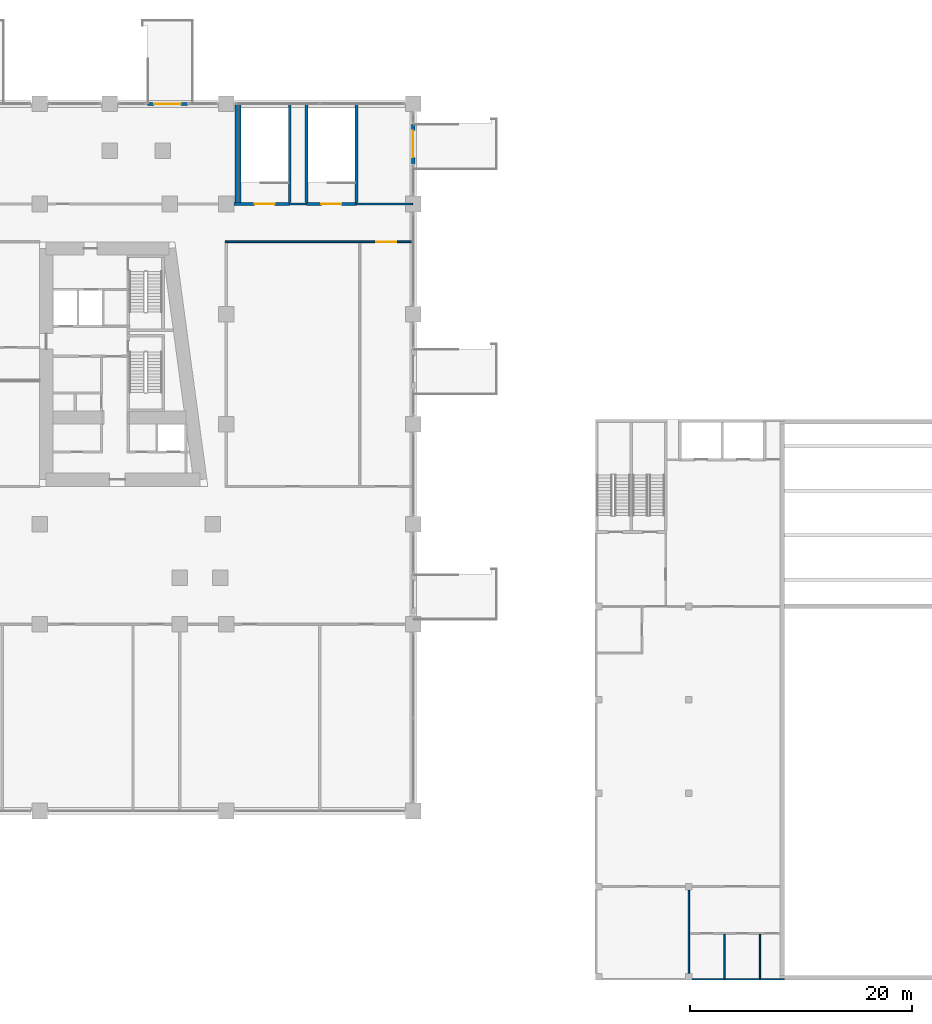
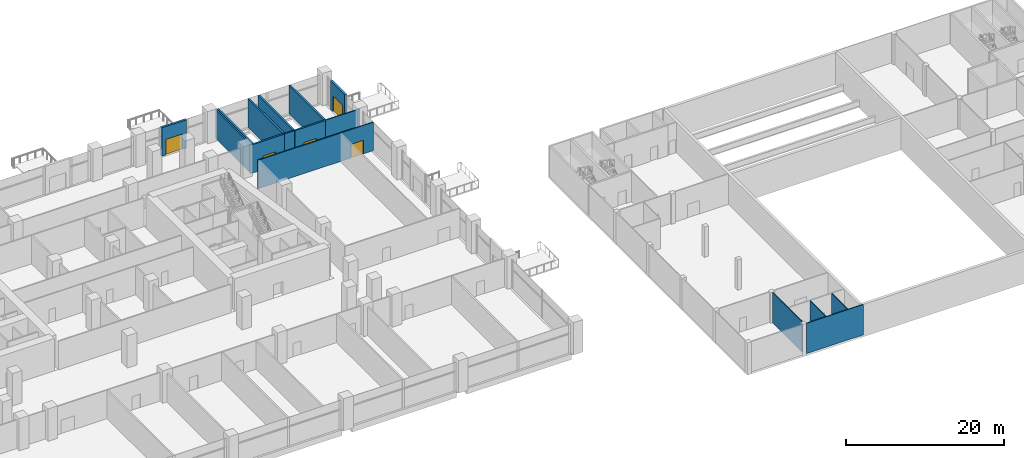
# One storey, part 23 of 33: 16 walls, 5 doors, 5 openings.
"""IFC4 building model written with IfcOpenShell, lengths in metres."""

from ifc_helpers import new_model, si_unit, direction, frame, frame_2d, origin, place, context, subcontext, project, spatial, rectangle, extrude, material, layer, layer_set, type_object, element, fill, save


model = new_model("IFC4")

# Units and contexts
model_context = context("Model", 3, precision=1e-05, world=origin(), true_north=direction((0.0, 1.0)))
body_context = subcontext(model_context, "Body", "Model", "MODEL_VIEW")
ifc_project = project(units=[si_unit("LENGTHUNIT", "METRE"), si_unit("AREAUNIT", "SQUARE_METRE"), si_unit("VOLUMEUNIT", "CUBIC_METRE"), si_unit("PLANEANGLEUNIT", "RADIAN"), si_unit("MASSUNIT", "GRAM", prefix="KILO")], contexts=[model_context])

# Site, building, storey
site_placement = place(None, origin())
site = spatial("IfcSite", under=ifc_project, at=site_placement, CompositionType="ELEMENT")
building_placement = place(site_placement, origin())
building = spatial("IfcBuilding", under=site, at=building_placement, Name="Candeia Pilgrim Tower and Theatre", CompositionType="ELEMENT")
storey_placement = place(building_placement, frame((0.0, 0.0, 29.0)))
storey = spatial("IfcBuildingStorey", under=building, at=storey_placement, Name="L04", CompositionType="ELEMENT", Elevation=29.0)

# Wall, opening, door
ifc_material_1 = material(Name="Ceramic block masonry", Category="masonry")
ifc_layer_1 = layer(ifc_material_1, 0.300048828125)
ifc_layer_set_1 = layer_set([ifc_layer_1], Name="EW2 entrance infill wall 300")
wall_type_1 = type_object("IfcWallType", Name="EW2 entrance infill wall 300", PredefinedType="SOLIDWALL", material=ifc_layer_set_1)
wall_1_placement = place(storey_placement, frame((135.699951171875, 144.800048828125, 0.0), z_axis=(0.0, 0.0, 1.0), x_axis=(1.0, 0.0, 0.0)))
wall_1 = element("IfcWall", 1, at=wall_1_placement, inside=storey, type_object=wall_type_1, Name="Entrance wall L04", PredefinedType="SOLIDWALL", context=body_context, shape_type="SweptSolid", body=[
    extrude(rectangle(XDim=3.60009765625, YDim=0.300048828125, at=frame_2d((1.800048828125, 0.0))), origin(), (0.0, 0.0, 1.0), 4.39990234375),
])
opening_1_placement = place(wall_1_placement, frame((0.60009765625, 0.0, 0.0)))
opening_1 = element("IfcOpeningElement", 2, at=opening_1_placement, cuts=wall_1, Name="Opening L04-ED079", PredefinedType="OPENING", context=body_context, shape_type="SweptSolid", body=[
    extrude(rectangle(XDim=2.39990234375, YDim=2.39990234375, at=frame_2d((1.199951171875, 1.199951171875))), frame((0.0, 0.16015625, 0.0), z_axis=(0.0, -1.0, 0.0), x_axis=(1.0, 0.0, 0.0)), (0.0, 0.0, 1.0), 0.320068359375),
])
ifc_material_2 = material(Name="Aluminium framed glazed door", Category="aluminium")
door_type_1 = type_object("IfcDoorType", Name="ED entrance double door 2400x2400", OperationType="DOUBLE_DOOR_DOUBLE_SWING", PredefinedType="DOOR", material=ifc_material_2)
door_1_placement = place(opening_1_placement, origin())
door_1 = element("IfcDoor", 3, at=door_1_placement, inside=storey, type_object=door_type_1, Name="Entrance door L04-ED079", OperationType="DOUBLE_DOOR_DOUBLE_SWING", OverallHeight=2.39990234375, OverallWidth=2.39990234375, PredefinedType="DOOR", context=body_context, shape_type="SweptSolid", body=[
    extrude(rectangle(XDim=2.39990234375, YDim=2.39990234375, at=frame_2d((1.199951171875, 1.199951171875))), frame((0.0, 0.02490234375, 0.0), z_axis=(0.0, -1.0, 0.0), x_axis=(1.0, 0.0, 0.0)), (0.0, 0.0, 1.0), 0.050048828125),
])
fill(opening_1, door_1)

wall_2_placement = place(storey_placement, frame((159.60009765625, 143.0, 0.0), z_axis=(0.0, 0.0, 1.0), x_axis=(0.0, -1.0, 0.0)))
wall_2 = element("IfcWall", 4, at=wall_2_placement, inside=storey, type_object=wall_type_1, Name="Entrance wall L04", PredefinedType="SOLIDWALL", context=body_context, shape_type="SweptSolid", body=[
    extrude(rectangle(XDim=3.60009765625, YDim=0.300048828125, at=frame_2d((1.800048828125, 0.0))), origin(), (0.0, 0.0, 1.0), 4.39990234375),
])
opening_2_placement = place(wall_2_placement, frame((0.60009765625, 0.0, 0.0)))
opening_2 = element("IfcOpeningElement", 5, at=opening_2_placement, cuts=wall_2, Name="Opening L04-ED080", PredefinedType="OPENING", context=body_context, shape_type="SweptSolid", body=[
    extrude(rectangle(XDim=2.39990234375, YDim=2.39990234375, at=frame_2d((1.199951171875, 1.199951171875))), frame((0.0, 0.16015625, 0.0), z_axis=(0.0, -1.0, 0.0), x_axis=(1.0, 0.0, 0.0)), (0.0, 0.0, 1.0), 0.320068359375),
])
door_2_placement = place(opening_2_placement, origin())
door_2 = element("IfcDoor", 6, at=door_2_placement, inside=storey, type_object=door_type_1, Name="Entrance door L04-ED080", OperationType="DOUBLE_DOOR_DOUBLE_SWING", OverallHeight=2.39990234375, OverallWidth=2.39990234375, PredefinedType="DOOR", context=body_context, shape_type="SweptSolid", body=[
    extrude(rectangle(XDim=2.39990234375, YDim=2.39990234375, at=frame_2d((1.199951171875, 1.199951171875))), frame((0.0, 0.02490234375, 0.0), z_axis=(0.0, -1.0, 0.0), x_axis=(1.0, 0.0, 0.0)), (0.0, 0.0, 1.0), 0.050048828125),
])
fill(opening_2, door_2)

ifc_material_3 = material(Name="Gypsum board partition on steel studs", Category="steel")
ifc_layer_2 = layer(ifc_material_3, 0.14990234375)
ifc_layer_set_2 = layer_set([ifc_layer_2], Name="PW-150 unit wall")
wall_type_2 = type_object("IfcWallType", Name="PW-150 unit wall", PredefinedType="PARTITIONING", material=ifc_layer_set_2)
wall_3_placement = place(storey_placement, frame((142.699951171875, 132.39990234375, 0.0), z_axis=(0.0, 0.0, 1.0), x_axis=(1.0, 0.0, 0.0)))
wall_3 = element("IfcWall", 7, at=wall_3_placement, inside=storey, type_object=wall_type_2, Name="Unit wall L04-034", PredefinedType="PARTITIONING", context=body_context, shape_type="SweptSolid", body=[
    extrude(rectangle(XDim=16.85009765625, YDim=0.14990234375, at=frame_2d((8.425048828125, 0.0))), origin(), (0.0, 0.0, 1.0), 4.39990234375),
])
opening_3_placement = place(wall_3_placement, frame((13.60009765625, 0.0, 0.0)))
opening_3 = element("IfcOpeningElement", 8, at=opening_3_placement, cuts=wall_3, Name="Opening L04-D029", PredefinedType="OPENING", context=body_context, shape_type="SweptSolid", body=[
    extrude(rectangle(XDim=1.800048828125, YDim=2.10009765625, at=frame_2d((0.89990234375, 1.050048828125))), frame((0.0, 0.0849609375, 0.0), z_axis=(0.0, -1.0, 0.0), x_axis=(1.0, 0.0, 0.0)), (0.0, 0.0, 1.0), 0.169921875),
])
ifc_material_4 = material(Name="Steel fire door set", Category="steel")
door_type_2 = type_object("IfcDoorType", Name="D-1800-FD60", OperationType="NOTDEFINED", PredefinedType="DOOR", material=ifc_material_4)
door_3_placement = place(opening_3_placement, origin())
door_3 = element("IfcDoor", 9, at=door_3_placement, inside=storey, type_object=door_type_2, Name="Door L04-D029", OperationType="SINGLE_SWING_LEFT", OverallHeight=2.10009765625, OverallWidth=1.800048828125, PredefinedType="DOOR", context=body_context, shape_type="SweptSolid", body=[
    extrude(rectangle(XDim=1.800048828125, YDim=2.10009765625, at=frame_2d((0.89990234375, 1.050048828125))), frame((0.0, 0.02490234375, 0.0), z_axis=(0.0, -1.0, 0.0), x_axis=(1.0, 0.0, 0.0)), (0.0, 0.0, 1.0), 0.050048828125),
])
fill(opening_3, door_3)

# Walls
wall_4_placement = place(storey_placement, frame((148.5, 135.800048828125, 0.0), z_axis=(0.0, 0.0, 1.0), x_axis=(1.0, 0.0, 0.0)))
element("IfcWall", 10, at=wall_4_placement, inside=storey, type_object=wall_type_2, Name="Unit wall L04-042", PredefinedType="PARTITIONING", context=body_context, shape_type="SweptSolid", body=[
    extrude(rectangle(XDim=1.5, YDim=0.14990234375, at=frame_2d((0.75, 0.0))), origin(), (0.0, 0.0, 1.0), 4.39990234375),
])
wall_5_placement = place(storey_placement, frame((154.5, 135.800048828125, 0.0), z_axis=(0.0, 0.0, 1.0), x_axis=(1.0, 0.0, 0.0)))
element("IfcWall", 11, at=wall_5_placement, inside=storey, type_object=wall_type_2, Name="Unit wall L04-043", PredefinedType="PARTITIONING", context=body_context, shape_type="SweptSolid", body=[
    extrude(rectangle(XDim=5.050048828125, YDim=0.14990234375, at=frame_2d((2.52490234375, 0.0))), origin(), (0.0, 0.0, 1.0), 4.39990234375),
])
ifc_layer_3 = layer(ifc_material_3, 0.199951171875)
ifc_layer_set_3 = layer_set([ifc_layer_3], Name="PW-200 party wall")
wall_type_3 = type_object("IfcWallType", Name="PW-200 party wall", PredefinedType="PARTITIONING", material=ifc_layer_set_3)
wall_6_placement = place(storey_placement, frame((143.699951171875, 135.875, 0.0), z_axis=(0.0, 0.0, 1.0), x_axis=(0.0, 1.0, 0.0)))
element("IfcWall", 12, at=wall_6_placement, inside=storey, type_object=wall_type_3, Name="Party wall L04-095", PredefinedType="PARTITIONING", context=body_context, shape_type="SweptSolid", body=[
    extrude(rectangle(XDim=8.875, YDim=0.199951171875, at=frame_2d((4.4375, 0.0))), origin(), (0.0, 0.0, 1.0), 4.39990234375),
])
ifc_material_5 = material(Name="Gypsum board on steel studs", Category="steel")
ifc_layer_4 = layer(ifc_material_5, 0.125)
ifc_layer_set_4 = layer_set([ifc_layer_4], Name="Partition 125")
wall_type_4 = type_object("IfcWallType", Name="Partition 125", PredefinedType="PARTITIONING", material=ifc_layer_set_4)
wall_7_placement = place(storey_placement, frame((184.699951171875, 66.0625, 0.0), z_axis=(0.0, 0.0, 1.0), x_axis=(1.0, 0.0, 0.0)))
element("IfcWall", 13, at=wall_7_placement, inside=storey, type_object=wall_type_4, Name="T-L04-W002", PredefinedType="PARTITIONING", context=body_context, shape_type="SweptSolid", body=[
    extrude(rectangle(XDim=8.300048828125, YDim=0.125, at=frame_2d((4.14990234375, 0.0))), origin(), (0.0, 0.0, 1.0), 4.699951171875),
])
wall_8_placement = place(storey_placement, frame((184.39990234375, 66.60009765625, 0.0), z_axis=(0.0, 0.0, 1.0), x_axis=(0.0, 1.0, 0.0)))
element("IfcWall", 14, at=wall_8_placement, inside=storey, type_object=wall_type_4, Name="T-L04-W047", PredefinedType="PARTITIONING", context=body_context, shape_type="SweptSolid", body=[
    extrude(rectangle(XDim=7.5, YDim=0.125, at=frame_2d((3.75, 0.0))), origin(), (0.0, 0.0, 1.0), 4.699951171875),
])
for number, where, z_axis, x_axis, name in (
    (15, (187.60009765625, 66.125, 0.0), (0.0, 0.0, 1.0), (0.0, 1.0, 0.0), "T-L04-W049"),
    (16, (190.800048828125, 66.125, 0.0), (0.0, 0.0, 1.0), (0.0, 1.0, 0.0), "T-L04-W050"),
):
    element("IfcWall", number, at=place(storey_placement, frame(where, z_axis=z_axis, x_axis=x_axis)), inside=storey, type_object=wall_type_4, Name=name, PredefinedType="PARTITIONING", context=body_context, shape_type="SweptSolid", body=[
        extrude(rectangle(XDim=4.012451171875, YDim=0.125, at=frame_2d((2.00634765625, 0.0))), origin(), (0.0, 0.0, 1.0), 4.699951171875),
    ])

# Wall, opening, door
ifc_material_6 = material(Name="Concrete C40/50", Category="concrete")
ifc_layer_5 = layer(ifc_material_6, 0.25)
ifc_layer_set_5 = layer_set([ifc_layer_5], Name="SW-250 stair wall")
wall_type_5 = type_object("IfcWallType", Name="SW-250 stair wall", PredefinedType="PARTITIONING", material=ifc_layer_set_5)
wall_9_placement = place(storey_placement, frame((143.469970703125, 135.800048828125, 0.0), z_axis=(0.0, 0.0, 1.0), x_axis=(1.0, 0.0, 0.0)))
wall_9 = element("IfcWall", 17, at=wall_9_placement, inside=storey, type_object=wall_type_5, Name="Stair wall L04-037", PredefinedType="PARTITIONING", context=body_context, shape_type="SweptSolid", body=[
    extrude(rectangle(XDim=5.030029296875, YDim=0.25, at=frame_2d((2.51513671875, 0.0))), origin(), (0.0, 0.0, 1.0), 4.39990234375),
])
opening_4_placement = place(wall_9_placement, frame((1.8798828125, 0.0, 0.0)))
opening_4 = element("IfcOpeningElement", 18, at=opening_4_placement, cuts=wall_9, Name="Opening L04-D022", PredefinedType="OPENING", context=body_context, shape_type="SweptSolid", body=[
    extrude(rectangle(XDim=1.800048828125, YDim=2.10009765625, at=frame_2d((0.89990234375, 1.050048828125))), frame((0.0, 0.135009765625, 0.0), z_axis=(0.0, -1.0, 0.0), x_axis=(1.0, 0.0, 0.0)), (0.0, 0.0, 1.0), 0.27001953125),
])
ifc_material_7 = material(Name="Steel exit door", Category="steel")
door_type_3 = type_object("IfcDoorType", Name="DX-1800-FD60", OperationType="NOTDEFINED", PredefinedType="DOOR", material=ifc_material_7)
door_4_placement = place(opening_4_placement, origin())
door_4 = element("IfcDoor", 19, at=door_4_placement, inside=storey, type_object=door_type_3, Name="Door L04-D022", OperationType="SINGLE_SWING_RIGHT", OverallHeight=2.10009765625, OverallWidth=1.800048828125, PredefinedType="DOOR", context=body_context, shape_type="SweptSolid", body=[
    extrude(rectangle(XDim=1.800048828125, YDim=2.10009765625, at=frame_2d((0.89990234375, 1.050048828125))), frame((0.0, 0.02490234375, 0.0), z_axis=(0.0, -1.0, 0.0), x_axis=(1.0, 0.0, 0.0)), (0.0, 0.0, 1.0), 0.050048828125),
])
fill(opening_4, door_4)

wall_10_placement = place(storey_placement, frame((150.0, 135.800048828125, 0.0), z_axis=(0.0, 0.0, 1.0), x_axis=(1.0, 0.0, 0.0)))
wall_10 = element("IfcWall", 20, at=wall_10_placement, inside=storey, type_object=wall_type_5, Name="Stair wall L04-038", PredefinedType="PARTITIONING", context=body_context, shape_type="SweptSolid", body=[
    extrude(rectangle(XDim=4.5, YDim=0.25, at=frame_2d((2.25, 0.0))), origin(), (0.0, 0.0, 1.0), 4.39990234375),
])
opening_5_placement = place(wall_10_placement, frame((1.35009765625, 0.0, 0.0)))
opening_5 = element("IfcOpeningElement", 21, at=opening_5_placement, cuts=wall_10, Name="Opening L04-D023", PredefinedType="OPENING", context=body_context, shape_type="SweptSolid", body=[
    extrude(rectangle(XDim=1.800048828125, YDim=2.10009765625, at=frame_2d((0.89990234375, 1.050048828125))), frame((0.0, 0.135009765625, 0.0), z_axis=(0.0, -1.0, 0.0), x_axis=(1.0, 0.0, 0.0)), (0.0, 0.0, 1.0), 0.27001953125),
])
door_5_placement = place(opening_5_placement, origin())
door_5 = element("IfcDoor", 22, at=door_5_placement, inside=storey, type_object=door_type_3, Name="Door L04-D023", OperationType="SINGLE_SWING_LEFT", OverallHeight=2.10009765625, OverallWidth=1.800048828125, PredefinedType="DOOR", context=body_context, shape_type="SweptSolid", body=[
    extrude(rectangle(XDim=1.800048828125, YDim=2.10009765625, at=frame_2d((0.89990234375, 1.050048828125))), frame((0.0, 0.02490234375, 0.0), z_axis=(0.0, -1.0, 0.0), x_axis=(1.0, 0.0, 0.0)), (0.0, 0.0, 1.0), 0.050048828125),
])
fill(opening_5, door_5)

# Walls
for number, where, z_axis, x_axis, name in (
    (23, (144.0, 135.925048828125, 0.0), (0.0, 0.0, 1.0), (0.0, 1.0, 0.0), "Stair wall L04-096"),
    (24, (148.5, 135.925048828125, 0.0), (0.0, 0.0, 1.0), (0.0, 1.0, 0.0), "Stair wall L04-097"),
    (25, (150.0, 135.925048828125, 0.0), (0.0, 0.0, 1.0), (0.0, 1.0, 0.0), "Stair wall L04-098"),
    (26, (154.5, 135.925048828125, 0.0), (0.0, 0.0, 1.0), (0.0, 1.0, 0.0), "Stair wall L04-100"),
):
    element("IfcWall", number, at=place(storey_placement, frame(where, z_axis=z_axis, x_axis=x_axis)), inside=storey, type_object=wall_type_5, Name=name, PredefinedType="PARTITIONING", context=body_context, shape_type="SweptSolid", body=[
        extrude(rectangle(XDim=8.824951171875, YDim=0.25, at=frame_2d((4.41259765625, 0.0))), origin(), (0.0, 0.0, 1.0), 4.39990234375),
    ])

save(model, "model.ifc")
